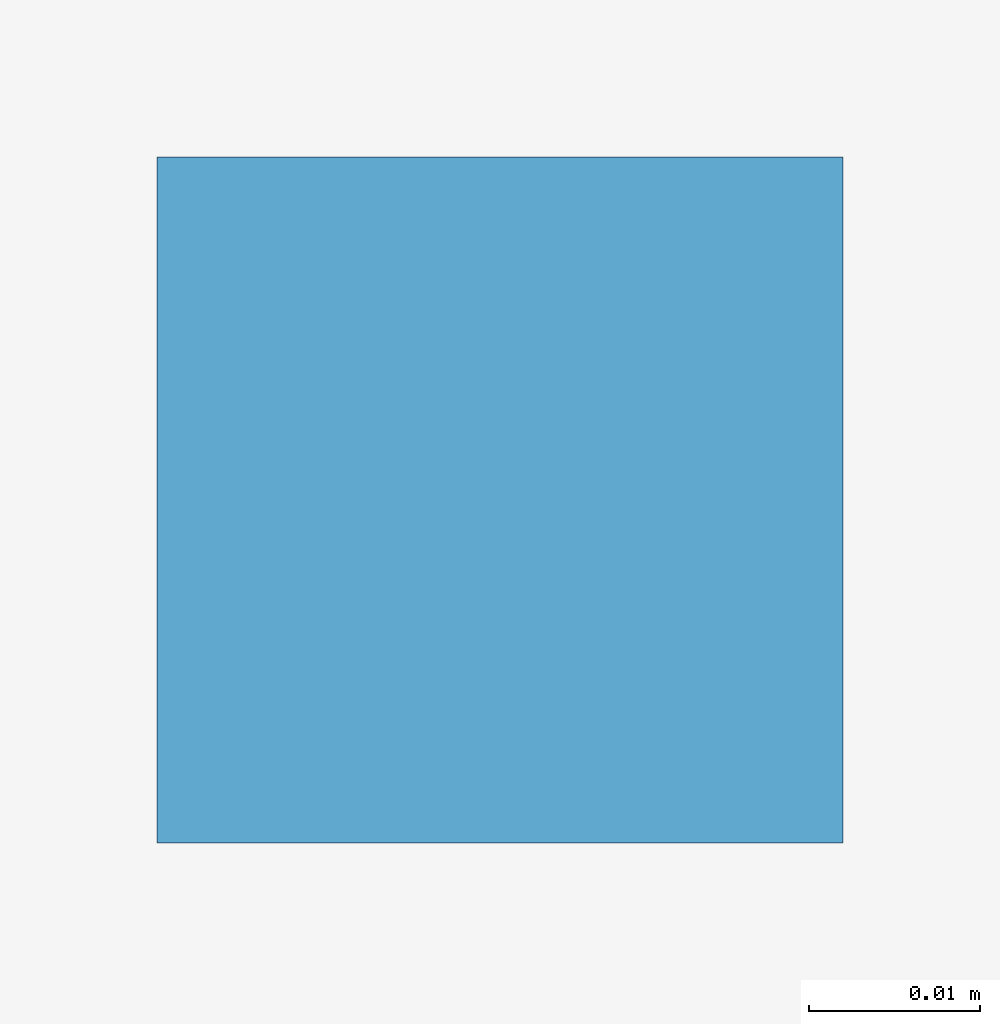
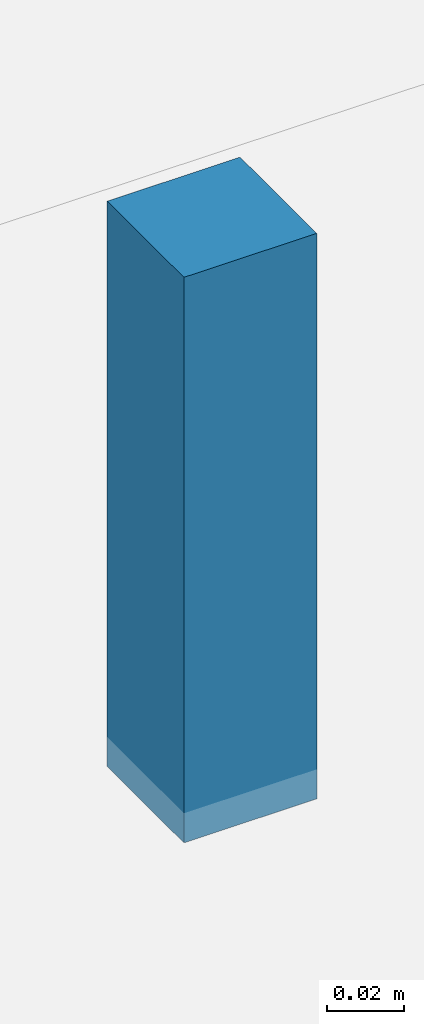
# One storey, part 65 of 88: 1 discrete accessory.
"""IFC4 building model written with IfcOpenShell, lengths in metres."""

from ifc_helpers import new_model, si_unit, direction, frame, origin, origin_2d, place, context, subcontext, project, spatial, rectangle, extrude, material, type_object, element, save


model = new_model("IFC4")

# Units and contexts
model_context = context("Model", 3, precision=1e-05, world=origin(), true_north=direction((0.0, 1.0)))
body_context = subcontext(model_context, "Body", "Model", "MODEL_VIEW")
ifc_project = project(units=[si_unit("LENGTHUNIT", "METRE"), si_unit("AREAUNIT", "SQUARE_METRE"), si_unit("VOLUMEUNIT", "CUBIC_METRE"), si_unit("PLANEANGLEUNIT", "RADIAN"), si_unit("MASSUNIT", "GRAM", prefix="KILO")], contexts=[model_context])

# Site, building, storey
site_placement = place(None, origin())
site = spatial("IfcSite", under=ifc_project, at=site_placement, CompositionType="ELEMENT")
building_placement = place(site_placement, origin())
building = spatial("IfcBuilding", under=site, at=building_placement, Name="Alvorim Cloister Faculty of Sciences", CompositionType="ELEMENT")
storey_placement = place(building_placement, frame((0.0, 0.0, 4.5)))
storey = spatial("IfcBuildingStorey", under=building, at=storey_placement, Name="L01", CompositionType="ELEMENT", Elevation=4.5)

# Discrete accessory
ifc_material = material(Name="Galvanised Painted Steel", Category="steel")
discrete_accessory_type = type_object("IfcDiscreteAccessoryType", Name="ACC-CEIL-ROD", PredefinedType="BRACKET", material=ifc_material)
discrete_accessory_placement = place(storey_placement, frame((80.25, 23.050048828125, 3.6298828125), z_axis=(0.0, 0.0, 1.0), x_axis=(1.0, 0.0, 0.0)))
element("IfcDiscreteAccessory", 1, at=discrete_accessory_placement, inside=storey, type_object=discrete_accessory_type, Name="Ceiling Suspension Bracket ACC-ROD-011", PredefinedType="BRACKET", context=body_context, shape_type="SweptSolid", body=[
    extrude(rectangle(XDim=0.0400390625, YDim=0.0400390625, at=origin_2d()), origin(), (0.0, 0.0, 1.0), 0.18017578125),
])

save(model, "model.ifc")
